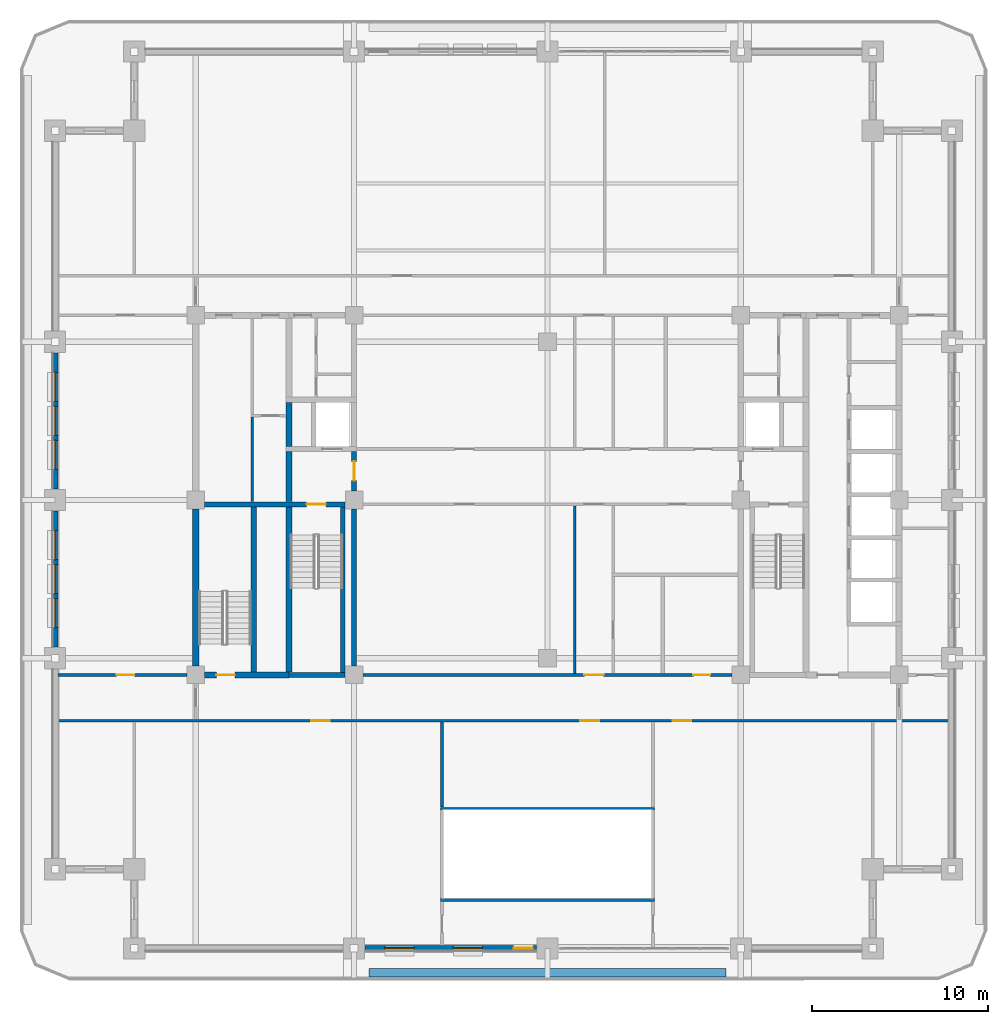
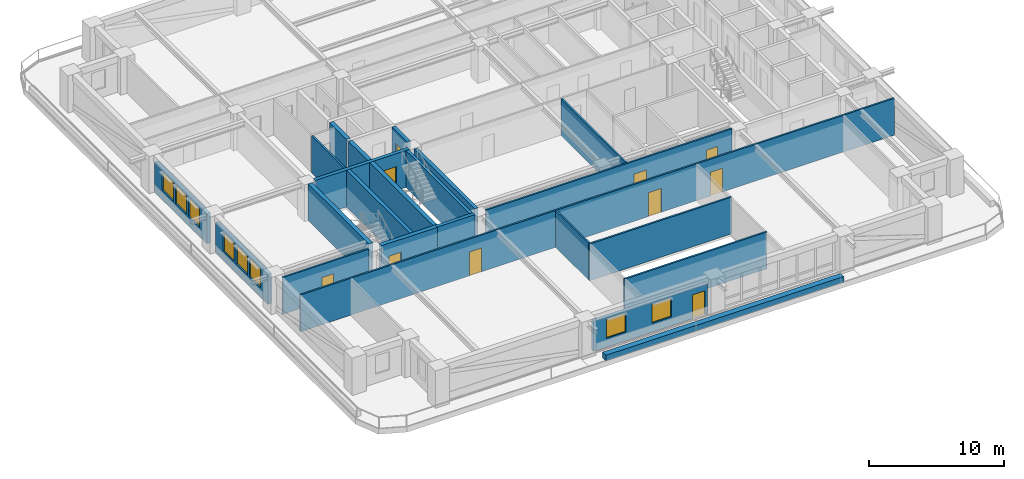
# One storey, part 8 of 20: 23 walls, 10 doors, 8 windows, 18 openings.
"""IFC4 building model written with IfcOpenShell, lengths in metres."""

from ifc_helpers import new_model, si_unit, direction, frame, frame_2d, origin, place, context, subcontext, project, spatial, rectangle, extrude, material, layer, layer_set, type_object, element, fill, save


model = new_model("IFC4")

# Units and contexts
model_context = context("Model", 3, precision=1e-05, world=origin(), true_north=direction((0.0, 1.0)))
body_context = subcontext(model_context, "Body", "Model", "MODEL_VIEW")
ifc_project = project(units=[si_unit("LENGTHUNIT", "METRE"), si_unit("AREAUNIT", "SQUARE_METRE"), si_unit("VOLUMEUNIT", "CUBIC_METRE"), si_unit("PLANEANGLEUNIT", "RADIAN"), si_unit("MASSUNIT", "GRAM", prefix="KILO")], contexts=[model_context])

# Site, building, storey
site_placement = place(None, origin())
site = spatial("IfcSite", under=ifc_project, at=site_placement, CompositionType="ELEMENT")
building_placement = place(site_placement, origin())
building = spatial("IfcBuilding", under=site, at=building_placement, Name="Zulmaris Gate Convention Tower", CompositionType="ELEMENT")
storey_placement = place(building_placement, frame((0.0, 0.0, 146.33984375)))
storey = spatial("IfcBuildingStorey", under=building, at=storey_placement, Name="L37", CompositionType="ELEMENT", Elevation=146.33984375)

# Walls
ifc_material_1 = material(Name="Concrete C50/60", Category="concrete")
ifc_layer_1 = layer(ifc_material_1, 0.25, Name="Concrete C50/60")
ifc_layer_set_1 = layer_set([ifc_layer_1], Name="Concrete C50/60")
wall_type_1 = type_object("IfcWallType", Name="CORE-250", PredefinedType="SOLIDWALL", material=ifc_layer_set_1)
wall_1_placement = place(storey_placement, frame((-11.64990234375, -9.798095703125, 0.0), z_axis=(0.0, 0.0, 1.0), x_axis=(0.0, 1.0, 0.0)))
element("IfcWall", 1, at=wall_1_placement, inside=storey, type_object=wall_type_1, Name="WL-L37-047", PredefinedType="SOLIDWALL", context=body_context, shape_type="SweptSolid", body=[
    extrude(rectangle(XDim=9.39599609375, YDim=0.25, at=frame_2d((4.697998046875, 0.0))), origin(), (0.0, 0.0, 1.0), 3.320068359375),
])
ifc_layer_2 = layer(ifc_material_1, 0.300048828125, Name="Concrete C50/60")
ifc_layer_set_2 = layer_set([ifc_layer_2], Name="Concrete C50/60")
wall_type_2 = type_object("IfcWallType", Name="CORE-300", PredefinedType="SHEAR", material=ifc_layer_set_2)
wall_2_placement = place(storey_placement, frame((-14.699951171875, -9.949951171875, 0.0), z_axis=(0.0, 0.0, 1.0), x_axis=(1.0, 0.0, 0.0)))
element("IfcWall", 2, at=wall_2_placement, inside=storey, type_object=wall_type_2, Name="WL-L37-002", PredefinedType="SHEAR", context=body_context, shape_type="SweptSolid", body=[
    extrude(rectangle(XDim=3.196044921875, YDim=0.300048828125, at=frame_2d((1.59814453125, 0.0))), origin(), (0.0, 0.0, 1.0), 3.320068359375),
])

# Wall, opening, door
wall_3_placement = place(storey_placement, frame((-19.49609375, -0.25, 0.0), z_axis=(0.0, 0.0, 1.0), x_axis=(1.0, 0.0, 0.0)))
wall_3 = element("IfcWall", 3, at=wall_3_placement, inside=storey, type_object=wall_type_2, Name="WL-L37-008", PredefinedType="SHEAR", context=body_context, shape_type="SweptSolid", body=[
    extrude(rectangle(XDim=7.9921875, YDim=0.300048828125, at=frame_2d((3.99609375, 0.0))), origin(), (0.0, 0.0, 1.0), 3.320068359375),
])
opening_1_placement = place(wall_3_placement, frame((5.7958984375, 0.0, 0.0)))
opening_1 = element("IfcOpeningElement", 4, at=opening_1_placement, cuts=wall_3, Name="Opening D-08", PredefinedType="OPENING", context=body_context, shape_type="SweptSolid", body=[
    extrude(rectangle(XDim=1.10009765625, YDim=2.14990234375, at=frame_2d((0.550048828125, 1.074951171875))), frame((0.0, 0.16015625, 0.0), z_axis=(0.0, -1.0, 0.0), x_axis=(1.0, 0.0, 0.0)), (0.0, 0.0, 1.0), 0.320068359375),
])
ifc_material_2 = material(Name="Fire-Rated Steel", Category="steel")
door_type_1 = type_object("IfcDoorType", Name="DR-1100-FD", OperationType="NOTDEFINED", PredefinedType="DOOR", material=ifc_material_2)
door_1_placement = place(opening_1_placement, origin())
door_1 = element("IfcDoor", 5, at=door_1_placement, inside=storey, type_object=door_type_1, Name="L37 Exit Stair ST-1 Door 01", OperationType="SINGLE_SWING_LEFT", OverallHeight=2.14990234375, OverallWidth=1.10009765625, PredefinedType="DOOR", context=body_context, shape_type="SweptSolid", body=[
    extrude(rectangle(XDim=1.10009765625, YDim=2.14990234375, at=frame_2d((0.550048828125, 1.074951171875))), frame((0.0, 0.02490234375, 0.0), z_axis=(0.0, -1.0, 0.0), x_axis=(1.0, 0.0, 0.0)), (0.0, 0.0, 1.0), 0.050048828125),
])
fill(opening_1, door_1)

# Walls
wall_4_placement = place(storey_placement, frame((-16.699951171875, -9.77294921875, 0.0), z_axis=(0.0, 0.0, 1.0), x_axis=(0.0, 1.0, 0.0)))
element("IfcWall", 6, at=wall_4_placement, inside=storey, type_object=wall_type_2, Name="WL-L37-041", PredefinedType="SHEAR", context=body_context, shape_type="SweptSolid", body=[
    extrude(rectangle(XDim=9.370849609375, YDim=0.300048828125, at=frame_2d((4.685546875, 0.0))), origin(), (0.0, 0.0, 1.0), 3.320068359375),
])
wall_5_placement = place(storey_placement, frame((-11.0, -9.446044921875, 0.0), z_axis=(0.0, 0.0, 1.0), x_axis=(0.0, 1.0, 0.0)))
element("IfcWall", 7, at=wall_5_placement, inside=storey, type_object=wall_type_2, Name="WL-L37-048", PredefinedType="SHEAR", context=body_context, shape_type="SweptSolid", body=[
    extrude(rectangle(XDim=8.942138671875, YDim=0.300048828125, at=frame_2d((4.47119140625, 0.0))), origin(), (0.0, 0.0, 1.0), 3.320068359375),
])

# Wall, opening, door
wall_6_placement = place(storey_placement, frame((-11.0, 0.50390625, 0.0), z_axis=(0.0, 0.0, 1.0), x_axis=(0.0, 1.0, 0.0)))
wall_6 = element("IfcWall", 8, at=wall_6_placement, inside=storey, type_object=wall_type_2, Name="WL-L37-049", PredefinedType="SHEAR", context=body_context, shape_type="SweptSolid", body=[
    extrude(rectangle(XDim=2.244140625, YDim=0.300048828125, at=frame_2d((1.1220703125, 0.0))), origin(), (0.0, 0.0, 1.0), 3.320068359375),
])
opening_2_placement = place(wall_6_placement, frame((0.595947265625, 0.0, 0.0)))
opening_2 = element("IfcOpeningElement", 9, at=opening_2_placement, cuts=wall_6, Name="Opening D-08", PredefinedType="OPENING", context=body_context, shape_type="SweptSolid", body=[
    extrude(rectangle(XDim=1.10009765625, YDim=2.14990234375, at=frame_2d((0.550048828125, 1.074951171875))), frame((0.0, 0.16015625, 0.0), z_axis=(0.0, -1.0, 0.0), x_axis=(1.0, 0.0, 0.0)), (0.0, 0.0, 1.0), 0.320068359375),
])
door_2_placement = place(opening_2_placement, origin())
door_2 = element("IfcDoor", 10, at=door_2_placement, inside=storey, type_object=door_type_1, Name="L37 West Firefighting Lobby Door 02", OperationType="SINGLE_SWING_RIGHT", OverallHeight=2.14990234375, OverallWidth=1.10009765625, PredefinedType="DOOR", context=body_context, shape_type="SweptSolid", body=[
    extrude(rectangle(XDim=1.10009765625, YDim=2.14990234375, at=frame_2d((0.550048828125, 1.074951171875))), frame((0.0, 0.02490234375, 0.0), z_axis=(0.0, -1.0, 0.0), x_axis=(1.0, 0.0, 0.0)), (0.0, 0.0, 1.0), 0.050048828125),
])
fill(opening_2, door_2)

ifc_material_3 = material(Name="Concrete C55/67", Category="concrete")
ifc_layer_3 = layer(ifc_material_3, 0.35009765625, Name="Concrete C55/67")
ifc_layer_set_3 = layer_set([ifc_layer_3], Name="Concrete C55/67")
wall_type_3 = type_object("IfcWallType", Name="CORE-350", PredefinedType="SHEAR", material=ifc_layer_set_3)
wall_7_placement = place(storey_placement, frame((-19.49609375, -9.949951171875, 0.0), z_axis=(0.0, 0.0, 1.0), x_axis=(1.0, 0.0, 0.0)))
wall_7 = element("IfcWall", 11, at=wall_7_placement, inside=storey, type_object=wall_type_3, Name="WL-L37-001", PredefinedType="SHEAR", context=body_context, shape_type="SweptSolid", body=[
    extrude(rectangle(XDim=4.796142578125, YDim=0.35009765625, at=frame_2d((2.39794921875, 0.0))), origin(), (0.0, 0.0, 1.0), 3.320068359375),
])
opening_3_placement = place(wall_7_placement, frame((0.6708984375, 0.0, 0.0)))
opening_3 = element("IfcOpeningElement", 12, at=opening_3_placement, cuts=wall_7, Name="Opening D-09", PredefinedType="OPENING", context=body_context, shape_type="SweptSolid", body=[
    extrude(rectangle(XDim=1.050048828125, YDim=2.14990234375, at=frame_2d((0.52490234375, 1.074951171875))), frame((0.0, 0.18505859375, 0.0), z_axis=(0.0, -1.0, 0.0), x_axis=(1.0, 0.0, 0.0)), (0.0, 0.0, 1.0), 0.3701171875),
])
door_type_2 = type_object("IfcDoorType", Name="DR-1050-FD", OperationType="NOTDEFINED", PredefinedType="DOOR", material=ifc_material_2)
door_3_placement = place(opening_3_placement, origin())
door_3 = element("IfcDoor", 13, at=door_3_placement, inside=storey, type_object=door_type_2, Name="L37 Exit Stair ST-3 Door 13", OperationType="SINGLE_SWING_LEFT", OverallHeight=2.14990234375, OverallWidth=1.050048828125, PredefinedType="DOOR", context=body_context, shape_type="SweptSolid", body=[
    extrude(rectangle(XDim=1.050048828125, YDim=2.14990234375, at=frame_2d((0.52490234375, 1.074951171875))), frame((0.0, 0.02490234375, 0.0), z_axis=(0.0, -1.0, 0.0), x_axis=(1.0, 0.0, 0.0)), (0.0, 0.0, 1.0), 0.050048828125),
])
fill(opening_3, door_3)

# Walls
wall_8_placement = place(storey_placement, frame((-20.0, -9.446044921875, 0.0), z_axis=(0.0, 0.0, 1.0), x_axis=(0.0, 1.0, 0.0)))
element("IfcWall", 14, at=wall_8_placement, inside=storey, type_object=wall_type_3, Name="WL-L37-039", PredefinedType="SHEAR", context=body_context, shape_type="SweptSolid", body=[
    extrude(rectangle(XDim=8.942138671875, YDim=0.35009765625, at=frame_2d((4.47119140625, 0.0))), origin(), (0.0, 0.0, 1.0), 3.320068359375),
])
wall_9_placement = place(storey_placement, frame((-14.699951171875, -9.77294921875, 0.0), z_axis=(0.0, 0.0, 1.0), x_axis=(0.0, 1.0, 0.0)))
element("IfcWall", 15, at=wall_9_placement, inside=storey, type_object=wall_type_3, Name="WL-L37-042", PredefinedType="SHEAR", context=body_context, shape_type="SweptSolid", body=[
    extrude(rectangle(XDim=9.370849609375, YDim=0.35009765625, at=frame_2d((4.685546875, 0.0))), origin(), (0.0, 0.0, 1.0), 3.320068359375),
])
wall_10_placement = place(storey_placement, frame((-14.699951171875, -0.097900390625, 0.0), z_axis=(0.0, 0.0, 1.0), x_axis=(0.0, 1.0, 0.0)))
element("IfcWall", 16, at=wall_10_placement, inside=storey, type_object=wall_type_3, Name="WL-L37-043", PredefinedType="SHEAR", context=body_context, shape_type="SweptSolid", body=[
    extrude(rectangle(XDim=2.845947265625, YDim=0.35009765625, at=frame_2d((1.4228515625, 0.0))), origin(), (0.0, 0.0, 1.0), 3.320068359375),
])
wall_11_placement = place(storey_placement, frame((-14.699951171875, 3.052001953125, 0.0), z_axis=(0.0, 0.0, 1.0), x_axis=(0.0, 1.0, 0.0)))
element("IfcWall", 17, at=wall_11_placement, inside=storey, type_object=wall_type_3, Name="WL-L37-044", PredefinedType="SHEAR", context=body_context, shape_type="SweptSolid", body=[
    extrude(rectangle(XDim=2.49609375, YDim=0.35009765625, at=frame_2d((1.248046875, 0.0))), origin(), (0.0, 0.0, 1.0), 3.320068359375),
])
ifc_material_4 = material(Name="Gypsum Metal Stud Partition")
ifc_layer_4 = layer(ifc_material_4, 0.14990234375, Name="Gypsum Metal Stud Partition")
ifc_layer_set_4 = layer_set([ifc_layer_4], Name="Gypsum Metal Stud Partition")
wall_type_4 = type_object("IfcWallType", Name="PART-150", PredefinedType="PARTITIONING", material=ifc_layer_set_4)
for number, where, z_axis, x_axis, name in (
    (18, (-6.074951171875, -22.75, 0.0), (0.0, 0.0, 1.0), (1.0, 0.0, 0.0), "WL-L37-021"),
    (19, (-6.074951171875, -17.550048828125, 0.0), (0.0, 0.0, 1.0), (1.0, 0.0, 0.0), "WL-L37-022"),
):
    element("IfcWall", number, at=place(storey_placement, frame(where, z_axis=z_axis, x_axis=x_axis)), inside=storey, type_object=wall_type_4, Name=name, PredefinedType="PARTITIONING", context=body_context, shape_type="SweptSolid", body=[
        extrude(rectangle(XDim=12.14990234375, YDim=0.14990234375, at=frame_2d((6.074951171875, 0.0))), origin(), (0.0, 0.0, 1.0), 3.320068359375),
    ])

# Wall, openings, doors
wall_12_placement = place(storey_placement, frame((-27.8349609375, -12.550048828125, 0.0), z_axis=(0.0, 0.0, 1.0), x_axis=(1.0, 0.0, 0.0)))
wall_12 = element("IfcWall", 20, at=wall_12_placement, inside=storey, type_object=wall_type_4, Name="WL-L37-023", PredefinedType="PARTITIONING", context=body_context, shape_type="SweptSolid", body=[
    extrude(rectangle(XDim=50.669921875, YDim=0.14990234375, at=frame_2d((25.3349609375, 0.0))), origin(), (0.0, 0.0, 1.0), 3.320068359375),
])
opening_4_placement = place(wall_12_placement, frame((29.68505859375, 0.0, 0.0)))
opening_4 = element("IfcOpeningElement", 21, at=opening_4_placement, cuts=wall_12, Name="Opening D-08", PredefinedType="OPENING", context=body_context, shape_type="SweptSolid", body=[
    extrude(rectangle(XDim=1.10009765625, YDim=2.14990234375, at=frame_2d((0.550048828125, 1.074951171875))), frame((0.0, 0.0849609375, 0.0), z_axis=(0.0, -1.0, 0.0), x_axis=(1.0, 0.0, 0.0)), (0.0, 0.0, 1.0), 0.169921875),
])
opening_5_placement = place(wall_12_placement, frame((14.409912109375, 0.0, 0.0)))
opening_5 = element("IfcOpeningElement", 22, at=opening_5_placement, cuts=wall_12, Name="Opening D-09", PredefinedType="OPENING", context=body_context, shape_type="SweptSolid", body=[
    extrude(rectangle(XDim=1.050048828125, YDim=2.14990234375, at=frame_2d((0.52490234375, 1.074951171875))), frame((0.0, 0.0849609375, 0.0), z_axis=(0.0, -1.0, 0.0), x_axis=(1.0, 0.0, 0.0)), (0.0, 0.0, 1.0), 0.169921875),
])
opening_6_placement = place(wall_12_placement, frame((34.9599609375, 0.0, 0.0)))
opening_6 = element("IfcOpeningElement", 23, at=opening_6_placement, cuts=wall_12, Name="Opening D-09", PredefinedType="OPENING", context=body_context, shape_type="SweptSolid", body=[
    extrude(rectangle(XDim=1.050048828125, YDim=2.14990234375, at=frame_2d((0.52490234375, 1.074951171875))), frame((0.0, 0.0849609375, 0.0), z_axis=(0.0, -1.0, 0.0), x_axis=(1.0, 0.0, 0.0)), (0.0, 0.0, 1.0), 0.169921875),
])
door_4_placement = place(opening_5_placement, origin())
door_4 = element("IfcDoor", 24, at=door_4_placement, inside=storey, type_object=door_type_2, Name="L37 Corner Boardroom SW Door 34", OperationType="SINGLE_SWING_RIGHT", OverallHeight=2.14990234375, OverallWidth=1.050048828125, PredefinedType="DOOR", context=body_context, shape_type="SweptSolid", body=[
    extrude(rectangle(XDim=1.050048828125, YDim=2.14990234375, at=frame_2d((0.52490234375, 1.074951171875))), frame((0.0, 0.02490234375, 0.0), z_axis=(0.0, -1.0, 0.0), x_axis=(1.0, 0.0, 0.0)), (0.0, 0.0, 1.0), 0.050048828125),
])
fill(opening_5, door_4)
door_5_placement = place(opening_6_placement, origin())
door_5 = element("IfcDoor", 25, at=door_5_placement, inside=storey, type_object=door_type_2, Name="L37 Corner Boardroom SE Door 35", OperationType="SINGLE_SWING_LEFT", OverallHeight=2.14990234375, OverallWidth=1.050048828125, PredefinedType="DOOR", context=body_context, shape_type="SweptSolid", body=[
    extrude(rectangle(XDim=1.050048828125, YDim=2.14990234375, at=frame_2d((0.52490234375, 1.074951171875))), frame((0.0, 0.02490234375, 0.0), z_axis=(0.0, -1.0, 0.0), x_axis=(1.0, 0.0, 0.0)), (0.0, 0.0, 1.0), 0.050048828125),
])
fill(opening_6, door_5)
door_6_placement = place(opening_4_placement, origin())
door_6 = element("IfcDoor", 26, at=door_6_placement, inside=storey, type_object=door_type_1, Name="L37 Mezzanine Gallery Door 33", OperationType="SINGLE_SWING_LEFT", OverallHeight=2.14990234375, OverallWidth=1.10009765625, PredefinedType="DOOR", context=body_context, shape_type="SweptSolid", body=[
    extrude(rectangle(XDim=1.10009765625, YDim=2.14990234375, at=frame_2d((0.550048828125, 1.074951171875))), frame((0.0, 0.02490234375, 0.0), z_axis=(0.0, -1.0, 0.0), x_axis=(1.0, 0.0, 0.0)), (0.0, 0.0, 1.0), 0.050048828125),
])
fill(opening_4, door_6)

# Wall, opening, door
wall_13_placement = place(storey_placement, frame((-27.8349609375, -9.949951171875, 0.0), z_axis=(0.0, 0.0, 1.0), x_axis=(1.0, 0.0, 0.0)))
wall_13 = element("IfcWall", 27, at=wall_13_placement, inside=storey, type_object=wall_type_4, Name="WL-L37-024", PredefinedType="PARTITIONING", context=body_context, shape_type="SweptSolid", body=[
    extrude(rectangle(XDim=7.328857421875, YDim=0.14990234375, at=frame_2d((3.66455078125, 0.0))), origin(), (0.0, 0.0, 1.0), 3.320068359375),
])
opening_7_placement = place(wall_13_placement, frame((3.3349609375, 0.0, 0.0)))
opening_7 = element("IfcOpeningElement", 28, at=opening_7_placement, cuts=wall_13, Name="Opening D-10", PredefinedType="OPENING", context=body_context, shape_type="SweptSolid", body=[
    extrude(rectangle(XDim=1.0, YDim=2.14990234375, at=frame_2d((0.5, 1.074951171875))), frame((0.0, 0.0849609375, 0.0), z_axis=(0.0, -1.0, 0.0), x_axis=(1.0, 0.0, 0.0)), (0.0, 0.0, 1.0), 0.169921875),
])
ifc_material_5 = material(Name="Fire-Rated Timber", Category="wood")
door_type_3 = type_object("IfcDoorType", Name="DR-1000-FD", OperationType="NOTDEFINED", PredefinedType="DOOR", material=ifc_material_5)
door_7_placement = place(opening_7_placement, origin())
door_7 = element("IfcDoor", 29, at=door_7_placement, inside=storey, type_object=door_type_3, Name="L37 West Workplace South Door 46", OperationType="SINGLE_SWING_RIGHT", OverallHeight=2.14990234375, OverallWidth=1.0, PredefinedType="DOOR", context=body_context, shape_type="SweptSolid", body=[
    extrude(rectangle(XDim=1.0, YDim=2.14990234375, at=frame_2d((0.5, 1.074951171875))), frame((0.0, 0.02490234375, 0.0), z_axis=(0.0, -1.0, 0.0), x_axis=(1.0, 0.0, 0.0)), (0.0, 0.0, 1.0), 0.050048828125),
])
fill(opening_7, door_7)

# Wall, openings, doors
wall_14_placement = place(storey_placement, frame((-10.493896484375, -9.949951171875, 0.0), z_axis=(0.0, 0.0, 1.0), x_axis=(1.0, 0.0, 0.0)))
wall_14 = element("IfcWall", 30, at=wall_14_placement, inside=storey, type_object=wall_type_4, Name="WL-L37-025", PredefinedType="PARTITIONING", context=body_context, shape_type="SweptSolid", body=[
    extrude(rectangle(XDim=20.98779296875, YDim=0.14990234375, at=frame_2d((10.493896484375, 0.0))), origin(), (0.0, 0.0, 1.0), 3.320068359375),
])
opening_8_placement = place(wall_14_placement, frame((12.593994140625, 0.0, 0.0)))
opening_8 = element("IfcOpeningElement", 31, at=opening_8_placement, cuts=wall_14, Name="Opening D-08", PredefinedType="OPENING", context=body_context, shape_type="SweptSolid", body=[
    extrude(rectangle(XDim=1.10009765625, YDim=2.14990234375, at=frame_2d((0.550048828125, 1.074951171875))), frame((0.0, 0.0849609375, 0.0), z_axis=(0.0, -1.0, 0.0), x_axis=(1.0, 0.0, 0.0)), (0.0, 0.0, 1.0), 0.169921875),
])
opening_9_placement = place(wall_14_placement, frame((18.799072265625, 0.0, 0.0)))
opening_9 = element("IfcOpeningElement", 32, at=opening_9_placement, cuts=wall_14, Name="Opening D-11", PredefinedType="OPENING", context=body_context, shape_type="SweptSolid", body=[
    extrude(rectangle(XDim=0.949951171875, YDim=2.14990234375, at=frame_2d((0.47509765625, 1.074951171875))), frame((0.0, 0.0849609375, 0.0), z_axis=(0.0, -1.0, 0.0), x_axis=(1.0, 0.0, 0.0)), (0.0, 0.0, 1.0), 0.169921875),
])
door_8_placement = place(opening_8_placement, origin())
door_8 = element("IfcDoor", 33, at=door_8_placement, inside=storey, type_object=door_type_1, Name="L37 South Gallery Link Door 26", OperationType="SINGLE_SWING_RIGHT", OverallHeight=2.14990234375, OverallWidth=1.10009765625, PredefinedType="DOOR", context=body_context, shape_type="SweptSolid", body=[
    extrude(rectangle(XDim=1.10009765625, YDim=2.14990234375, at=frame_2d((0.550048828125, 1.074951171875))), frame((0.0, 0.02490234375, 0.0), z_axis=(0.0, -1.0, 0.0), x_axis=(1.0, 0.0, 0.0)), (0.0, 0.0, 1.0), 0.050048828125),
])
fill(opening_8, door_8)
door_type_4 = type_object("IfcDoorType", Name="DR-950-FD", OperationType="NOTDEFINED", PredefinedType="DOOR", material=ifc_material_5)
door_9_placement = place(opening_9_placement, origin())
door_9 = element("IfcDoor", 34, at=door_9_placement, inside=storey, type_object=door_type_4, Name="L37 Vault Store Door 42", OperationType="SINGLE_SWING_RIGHT", OverallHeight=2.14990234375, OverallWidth=0.949951171875, PredefinedType="DOOR", context=body_context, shape_type="SweptSolid", body=[
    extrude(rectangle(XDim=0.949951171875, YDim=2.14990234375, at=frame_2d((0.47509765625, 1.074951171875))), frame((0.0, 0.02490234375, 0.0), z_axis=(0.0, -1.0, 0.0), x_axis=(1.0, 0.0, 0.0)), (0.0, 0.0, 1.0), 0.050048828125),
])
fill(opening_9, door_9)

# Walls
wall_15_placement = place(storey_placement, frame((-16.800048828125, -0.096923828125, 0.0), z_axis=(0.0, 0.0, 1.0), x_axis=(0.0, 1.0, 0.0)))
element("IfcWall", 35, at=wall_15_placement, inside=storey, type_object=wall_type_4, Name="WL-L37-078", PredefinedType="PARTITIONING", context=body_context, shape_type="SweptSolid", body=[
    extrude(rectangle(XDim=4.81884765625, YDim=0.14990234375, at=frame_2d((2.409423828125, 0.0))), origin(), (0.0, 0.0, 1.0), 3.320068359375),
])
wall_16_placement = place(storey_placement, frame((-6.0, -17.471923828125, 0.0), z_axis=(0.0, 0.0, 1.0), x_axis=(0.0, 1.0, 0.0)))
element("IfcWall", 36, at=wall_16_placement, inside=storey, type_object=wall_type_4, Name="WL-L37-084", PredefinedType="PARTITIONING", context=body_context, shape_type="SweptSolid", body=[
    extrude(rectangle(XDim=4.843994140625, YDim=0.14990234375, at=frame_2d((2.421875, 0.0))), origin(), (0.0, 0.0, 1.0), 3.320068359375),
])
wall_17_placement = place(storey_placement, frame((1.550048828125, -9.8720703125, 0.0), z_axis=(0.0, 0.0, 1.0), x_axis=(0.0, 1.0, 0.0)))
element("IfcWall", 37, at=wall_17_placement, inside=storey, type_object=wall_type_4, Name="WL-L37-085", PredefinedType="PARTITIONING", context=body_context, shape_type="SweptSolid", body=[
    extrude(rectangle(XDim=9.544189453125, YDim=0.14990234375, at=frame_2d((4.77197265625, 0.0))), origin(), (0.0, 0.0, 1.0), 3.320068359375),
])
ifc_material_6 = material(Name="Botanical Green Glazed Precast Concrete C40/50", Category="concrete")
ifc_layer_5 = layer(ifc_material_6, 0.419921875, Name="Botanical Green Glazed Precast Concrete C40/50")
ifc_layer_set_5 = layer_set([ifc_layer_5], Name="Botanical Green Glazed Precast Concrete C40/50")
wall_type_5 = type_object("IfcWallType", Name="PLANTER-CURB-200", PredefinedType="PARAPET", material=ifc_layer_set_5)
wall_18_placement = place(storey_placement, frame((-10.14990234375, -26.8798828125, -0.0400390625), z_axis=(0.0, 0.0, 1.0), x_axis=(1.0, 0.0, 0.0)))
element("IfcWall", 38, at=wall_18_placement, inside=storey, type_object=wall_type_5, Name="L37 Full-Length Balcony Tree Planter Trough", PredefinedType="PARAPET", context=body_context, shape_type="SweptSolid", body=[
    extrude(rectangle(XDim=20.2998046875, YDim=0.47998046875, at=frame_2d((10.14990234375, 0.0))), origin(), (0.0, 0.0, 1.0), 0.52001953125),
])

# Wall, openings, door, windows
ifc_material_7 = material(Name="Precast concrete C40/50", Category="concrete")
ifc_layer_6 = layer(ifc_material_7, 0.300048828125, Name="Precast concrete C40/50")
ifc_layer_set_6 = layer_set([ifc_layer_6], Name="Precast concrete C40/50")
wall_type_6 = type_object("IfcWallType", Name="PRECAST-PIER-300", PredefinedType="STANDARD", material=ifc_layer_set_6)
wall_19_placement = place(storey_placement, frame((-10.3701171875, -25.5, 0.0), z_axis=(0.0, 0.0, 1.0), x_axis=(1.0, 0.0, 0.0)))
wall_19 = element("IfcWall", 39, at=wall_19_placement, inside=storey, type_object=wall_type_6, Name="EW-L37-S-1_0", PredefinedType="STANDARD", context=body_context, shape_type="SweptSolid", body=[
    extrude(rectangle(XDim=9.740234375, YDim=0.300048828125, at=frame_2d((4.8701171875, 0.0))), origin(), (0.0, 0.0, 1.0), 2.712158203125),
])
opening_10_placement = place(wall_19_placement, frame((8.43994140625, 0.0, 0.0)))
opening_10 = element("IfcOpeningElement", 40, at=opening_10_placement, cuts=wall_19, Name="Opening D-04", PredefinedType="OPENING", context=body_context, shape_type="SweptSolid", body=[
    extrude(rectangle(XDim=1.10009765625, YDim=2.14990234375, at=frame_2d((0.550048828125, 1.074951171875))), frame((0.0, 0.16015625, 0.0), z_axis=(0.0, -1.0, 0.0), x_axis=(1.0, 0.0, 0.0)), (0.0, 0.0, 1.0), 0.320068359375),
])
opening_11_placement = place(wall_19_placement, frame((1.123046875, 0.0, 0.800048828125)))
opening_11 = element("IfcOpeningElement", 41, at=opening_11_placement, cuts=wall_19, Name="Opening W-08", PredefinedType="OPENING", context=body_context, shape_type="SweptSolid", body=[
    extrude(rectangle(XDim=1.64990234375, YDim=1.699951171875, at=frame_2d((0.824951171875, 0.85009765625))), frame((0.0, 0.16015625, 0.0), z_axis=(0.0, -1.0, 0.0), x_axis=(1.0, 0.0, 0.0)), (0.0, 0.0, 1.0), 0.320068359375),
])
opening_12_placement = place(wall_19_placement, frame((5.01904296875, 0.0, 0.800048828125)))
opening_12 = element("IfcOpeningElement", 42, at=opening_12_placement, cuts=wall_19, Name="Opening W-08", PredefinedType="OPENING", context=body_context, shape_type="SweptSolid", body=[
    extrude(rectangle(XDim=1.64990234375, YDim=1.699951171875, at=frame_2d((0.824951171875, 0.85009765625))), frame((0.0, 0.16015625, 0.0), z_axis=(0.0, -1.0, 0.0), x_axis=(1.0, 0.0, 0.0)), (0.0, 0.0, 1.0), 0.320068359375),
])
ifc_material_8 = material(Name="Anodised Aluminium and Laminated Glass", Category="aluminium")
door_type_5 = type_object("IfcDoorType", Name="ED-1100", OperationType="SINGLE_SWING_RIGHT", PredefinedType="DOOR", material=ifc_material_8)
door_10_placement = place(opening_10_placement, origin())
door_10 = element("IfcDoor", 43, at=door_10_placement, inside=storey, type_object=door_type_5, Name="L37 S Planted Terrace Door", OperationType="SINGLE_SWING_RIGHT", OverallHeight=2.14990234375, OverallWidth=1.10009765625, PredefinedType="DOOR", context=body_context, shape_type="SweptSolid", body=[
    extrude(rectangle(XDim=1.10009765625, YDim=2.14990234375, at=frame_2d((0.550048828125, 1.074951171875))), frame((0.0, 0.02490234375, 0.0), z_axis=(0.0, -1.0, 0.0), x_axis=(1.0, 0.0, 0.0)), (0.0, 0.0, 1.0), 0.050048828125),
])
fill(opening_10, door_10)
ifc_material_9 = material(Name="Low-E Laminated Double Glazing in Aluminium Frame", Category="aluminium")
window_type = type_object("IfcWindowType", Name="WIN-1650x2150", PartitioningType="SINGLE_PANEL", PredefinedType="WINDOW", material=ifc_material_9)
window_1_placement = place(opening_11_placement, origin())
window_1 = element("IfcWindow", 44, at=window_1_placement, inside=storey, type_object=window_type, Name="WN-EW-L37-S-1_0-1", OverallHeight=1.699951171875, OverallWidth=1.64990234375, PartitioningType="SINGLE_PANEL", PredefinedType="WINDOW", context=body_context, shape_type="SweptSolid", body=[
    extrude(rectangle(XDim=1.64990234375, YDim=1.699951171875, at=frame_2d((0.824951171875, 0.85009765625))), frame((0.0, 0.030029296875, 0.0), z_axis=(0.0, -1.0, 0.0), x_axis=(1.0, 0.0, 0.0)), (0.0, 0.0, 1.0), 0.06005859375),
])
fill(opening_11, window_1)
window_2_placement = place(opening_12_placement, origin())
window_2 = element("IfcWindow", 45, at=window_2_placement, inside=storey, type_object=window_type, Name="WN-EW-L37-S-1_0-3", OverallHeight=1.699951171875, OverallWidth=1.64990234375, PartitioningType="SINGLE_PANEL", PredefinedType="WINDOW", context=body_context, shape_type="SweptSolid", body=[
    extrude(rectangle(XDim=1.64990234375, YDim=1.699951171875, at=frame_2d((0.824951171875, 0.85009765625))), frame((0.0, 0.030029296875, 0.0), z_axis=(0.0, -1.0, 0.0), x_axis=(1.0, 0.0, 0.0)), (0.0, 0.0, 1.0), 0.06005859375),
])
fill(opening_12, window_2)

# Wall, openings, windows
wall_20_placement = place(storey_placement, frame((-28.0, -0.6298828125, 0.0), z_axis=(0.0, 0.0, 1.0), x_axis=(0.0, -1.0, 0.0)))
wall_20 = element("IfcWall", 46, at=wall_20_placement, inside=storey, type_object=wall_type_6, Name="EW-L37-W-1_0", PredefinedType="STANDARD", context=body_context, shape_type="SweptSolid", body=[
    extrude(rectangle(XDim=7.740234375, YDim=0.300048828125, at=frame_2d((3.8701171875, 0.0))), origin(), (0.0, 0.0, 1.0), 2.712158203125),
])
opening_13_placement = place(wall_20_placement, frame((1.110107421875, 0.0, 0.800048828125)))
opening_13 = element("IfcOpeningElement", 47, at=opening_13_placement, cuts=wall_20, Name="Opening W-08", PredefinedType="OPENING", context=body_context, shape_type="SweptSolid", body=[
    extrude(rectangle(XDim=1.64990234375, YDim=1.699951171875, at=frame_2d((0.824951171875, 0.85009765625))), frame((0.0, 0.16015625, 0.0), z_axis=(0.0, -1.0, 0.0), x_axis=(1.0, 0.0, 0.0)), (0.0, 0.0, 1.0), 0.320068359375),
])
opening_14_placement = place(wall_20_placement, frame((3.044921875, 0.0, 0.800048828125)))
opening_14 = element("IfcOpeningElement", 48, at=opening_14_placement, cuts=wall_20, Name="Opening W-08", PredefinedType="OPENING", context=body_context, shape_type="SweptSolid", body=[
    extrude(rectangle(XDim=1.64990234375, YDim=1.699951171875, at=frame_2d((0.824951171875, 0.85009765625))), frame((0.0, 0.16015625, 0.0), z_axis=(0.0, -1.0, 0.0), x_axis=(1.0, 0.0, 0.0)), (0.0, 0.0, 1.0), 0.320068359375),
])
opening_15_placement = place(wall_20_placement, frame((4.97998046875, 0.0, 0.800048828125)))
opening_15 = element("IfcOpeningElement", 49, at=opening_15_placement, cuts=wall_20, Name="Opening W-08", PredefinedType="OPENING", context=body_context, shape_type="SweptSolid", body=[
    extrude(rectangle(XDim=1.64990234375, YDim=1.699951171875, at=frame_2d((0.824951171875, 0.85009765625))), frame((0.0, 0.16015625, 0.0), z_axis=(0.0, -1.0, 0.0), x_axis=(1.0, 0.0, 0.0)), (0.0, 0.0, 1.0), 0.320068359375),
])
window_3_placement = place(opening_13_placement, origin())
window_3 = element("IfcWindow", 50, at=window_3_placement, inside=storey, type_object=window_type, Name="WN-EW-L37-W-1_0-1", OverallHeight=1.699951171875, OverallWidth=1.64990234375, PartitioningType="SINGLE_PANEL", PredefinedType="WINDOW", context=body_context, shape_type="SweptSolid", body=[
    extrude(rectangle(XDim=1.64990234375, YDim=1.699951171875, at=frame_2d((0.824951171875, 0.85009765625))), frame((0.0, 0.030029296875, 0.0), z_axis=(0.0, -1.0, 0.0), x_axis=(1.0, 0.0, 0.0)), (0.0, 0.0, 1.0), 0.06005859375),
])
fill(opening_13, window_3)
window_4_placement = place(opening_14_placement, origin())
window_4 = element("IfcWindow", 51, at=window_4_placement, inside=storey, type_object=window_type, Name="WN-EW-L37-W-1_0-2", OverallHeight=1.699951171875, OverallWidth=1.64990234375, PartitioningType="SINGLE_PANEL", PredefinedType="WINDOW", context=body_context, shape_type="SweptSolid", body=[
    extrude(rectangle(XDim=1.64990234375, YDim=1.699951171875, at=frame_2d((0.824951171875, 0.85009765625))), frame((0.0, 0.030029296875, 0.0), z_axis=(0.0, -1.0, 0.0), x_axis=(1.0, 0.0, 0.0)), (0.0, 0.0, 1.0), 0.06005859375),
])
fill(opening_14, window_4)
window_5_placement = place(opening_15_placement, origin())
window_5 = element("IfcWindow", 52, at=window_5_placement, inside=storey, type_object=window_type, Name="WN-EW-L37-W-1_0-3", OverallHeight=1.699951171875, OverallWidth=1.64990234375, PartitioningType="SINGLE_PANEL", PredefinedType="WINDOW", context=body_context, shape_type="SweptSolid", body=[
    extrude(rectangle(XDim=1.64990234375, YDim=1.699951171875, at=frame_2d((0.824951171875, 0.85009765625))), frame((0.0, 0.030029296875, 0.0), z_axis=(0.0, -1.0, 0.0), x_axis=(1.0, 0.0, 0.0)), (0.0, 0.0, 1.0), 0.06005859375),
])
fill(opening_15, window_5)

wall_21_placement = place(storey_placement, frame((-28.0, 8.3701171875, 0.0), z_axis=(0.0, 0.0, 1.0), x_axis=(0.0, -1.0, 0.0)))
wall_21 = element("IfcWall", 53, at=wall_21_placement, inside=storey, type_object=wall_type_6, Name="EW-L37-W-2_0", PredefinedType="STANDARD", context=body_context, shape_type="SweptSolid", body=[
    extrude(rectangle(XDim=7.740234375, YDim=0.300048828125, at=frame_2d((3.8701171875, 0.0))), origin(), (0.0, 0.0, 1.0), 2.712158203125),
])
opening_16_placement = place(wall_21_placement, frame((1.110107421875, 0.0, 0.800048828125)))
opening_16 = element("IfcOpeningElement", 54, at=opening_16_placement, cuts=wall_21, Name="Opening W-08", PredefinedType="OPENING", context=body_context, shape_type="SweptSolid", body=[
    extrude(rectangle(XDim=1.64990234375, YDim=1.699951171875, at=frame_2d((0.824951171875, 0.85009765625))), frame((0.0, 0.16015625, 0.0), z_axis=(0.0, -1.0, 0.0), x_axis=(1.0, 0.0, 0.0)), (0.0, 0.0, 1.0), 0.320068359375),
])
opening_17_placement = place(wall_21_placement, frame((3.044921875, 0.0, 0.800048828125)))
opening_17 = element("IfcOpeningElement", 55, at=opening_17_placement, cuts=wall_21, Name="Opening W-08", PredefinedType="OPENING", context=body_context, shape_type="SweptSolid", body=[
    extrude(rectangle(XDim=1.64990234375, YDim=1.699951171875, at=frame_2d((0.824951171875, 0.85009765625))), frame((0.0, 0.16015625, 0.0), z_axis=(0.0, -1.0, 0.0), x_axis=(1.0, 0.0, 0.0)), (0.0, 0.0, 1.0), 0.320068359375),
])
opening_18_placement = place(wall_21_placement, frame((4.97998046875, 0.0, 0.800048828125)))
opening_18 = element("IfcOpeningElement", 56, at=opening_18_placement, cuts=wall_21, Name="Opening W-08", PredefinedType="OPENING", context=body_context, shape_type="SweptSolid", body=[
    extrude(rectangle(XDim=1.64990234375, YDim=1.699951171875, at=frame_2d((0.824951171875, 0.85009765625))), frame((0.0, 0.16015625, 0.0), z_axis=(0.0, -1.0, 0.0), x_axis=(1.0, 0.0, 0.0)), (0.0, 0.0, 1.0), 0.320068359375),
])
window_6_placement = place(opening_16_placement, origin())
window_6 = element("IfcWindow", 57, at=window_6_placement, inside=storey, type_object=window_type, Name="WN-EW-L37-W-2_0-1", OverallHeight=1.699951171875, OverallWidth=1.64990234375, PartitioningType="SINGLE_PANEL", PredefinedType="WINDOW", context=body_context, shape_type="SweptSolid", body=[
    extrude(rectangle(XDim=1.64990234375, YDim=1.699951171875, at=frame_2d((0.824951171875, 0.85009765625))), frame((0.0, 0.030029296875, 0.0), z_axis=(0.0, -1.0, 0.0), x_axis=(1.0, 0.0, 0.0)), (0.0, 0.0, 1.0), 0.06005859375),
])
fill(opening_16, window_6)
window_7_placement = place(opening_17_placement, origin())
window_7 = element("IfcWindow", 58, at=window_7_placement, inside=storey, type_object=window_type, Name="WN-EW-L37-W-2_0-2", OverallHeight=1.699951171875, OverallWidth=1.64990234375, PartitioningType="SINGLE_PANEL", PredefinedType="WINDOW", context=body_context, shape_type="SweptSolid", body=[
    extrude(rectangle(XDim=1.64990234375, YDim=1.699951171875, at=frame_2d((0.824951171875, 0.85009765625))), frame((0.0, 0.030029296875, 0.0), z_axis=(0.0, -1.0, 0.0), x_axis=(1.0, 0.0, 0.0)), (0.0, 0.0, 1.0), 0.06005859375),
])
fill(opening_17, window_7)
window_8_placement = place(opening_18_placement, origin())
window_8 = element("IfcWindow", 59, at=window_8_placement, inside=storey, type_object=window_type, Name="WN-EW-L37-W-2_0-3", OverallHeight=1.699951171875, OverallWidth=1.64990234375, PartitioningType="SINGLE_PANEL", PredefinedType="WINDOW", context=body_context, shape_type="SweptSolid", body=[
    extrude(rectangle(XDim=1.64990234375, YDim=1.699951171875, at=frame_2d((0.824951171875, 0.85009765625))), frame((0.0, 0.030029296875, 0.0), z_axis=(0.0, -1.0, 0.0), x_axis=(1.0, 0.0, 0.0)), (0.0, 0.0, 1.0), 0.06005859375),
])
fill(opening_18, window_8)

save(model, "model.ifc")
